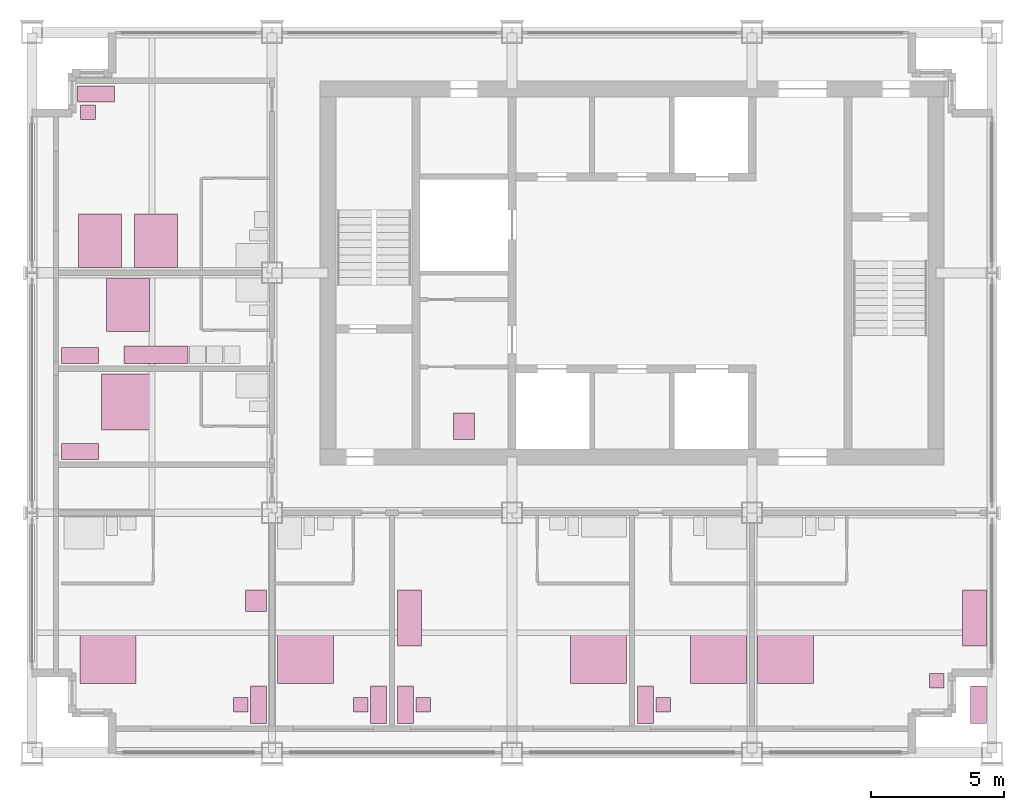
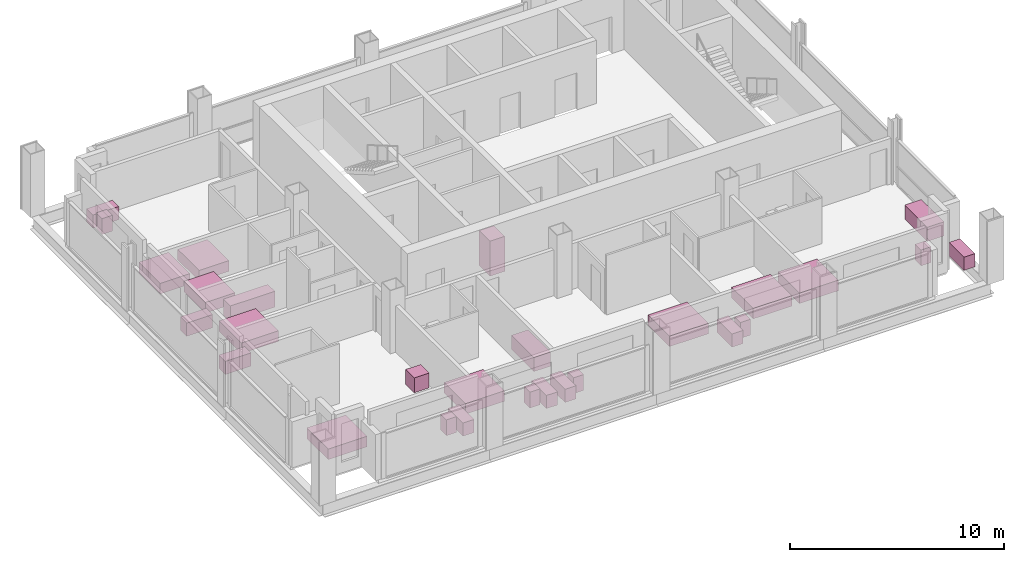
# One storey, part 12 of 12: 28 furniture elements.
"""IFC4 building model written with IfcOpenShell, lengths in metres."""

from ifc_helpers import new_model, si_unit, direction, frame, origin, origin_2d, place, context, subcontext, project, spatial, rectangle, extrude, element, save


model = new_model("IFC4")

# Units and contexts
model_context = context("Model", 3, precision=1e-05, world=origin(), true_north=direction((0.0, 1.0)))
body_context = subcontext(model_context, "Body", "Model", "MODEL_VIEW")
ifc_project = project(units=[si_unit("LENGTHUNIT", "METRE"), si_unit("AREAUNIT", "SQUARE_METRE"), si_unit("VOLUMEUNIT", "CUBIC_METRE"), si_unit("PLANEANGLEUNIT", "RADIAN"), si_unit("MASSUNIT", "GRAM", prefix="KILO")], contexts=[model_context])

# Site, building, storey
site_placement = place(None, origin())
site = spatial("IfcSite", under=ifc_project, at=site_placement, CompositionType="ELEMENT")
building_placement = place(site_placement, origin())
building = spatial("IfcBuilding", under=site, at=building_placement, Name="Loomwork Tower", CompositionType="ELEMENT")
storey_placement = place(building_placement, frame((0.0, 0.0, 237.39990234375)))
storey = spatial("IfcBuildingStorey", under=building, at=storey_placement, Name="L65", CompositionType="ELEMENT", Elevation=237.39990234375)

# Furniture
furniture_1_placement = place(storey_placement, frame((2.85009765625, 3.60009765625, 0.0), z_axis=(0.0, 0.0, 1.0), x_axis=(1.0, 0.0, 0.0)))
element("IfcFurniture", 1, at=furniture_1_placement, inside=storey, Name="King bed L65", PredefinedType="BED", context=body_context, shape_type="SweptSolid", body=[
    extrude(rectangle(XDim=2.10009765625, YDim=2.0, at=origin_2d()), origin(), (0.0, 0.0, 1.0), 0.60009765625),
])
furniture_2_placement = place(storey_placement, frame((8.5, 1.800048828125, 0.0), z_axis=(0.0, 0.0, 1.0), x_axis=(1.0, 0.0, 0.0)))
element("IfcFurniture", 2, at=furniture_2_placement, inside=storey, Name="Writing desk L65", PredefinedType="DESK", context=body_context, shape_type="SweptSolid", body=[
    extrude(rectangle(XDim=0.60009765625, YDim=1.39990234375, at=origin_2d()), origin(), (0.0, 0.0, 1.0), 0.75),
])
furniture_3_placement = place(storey_placement, frame((7.824951171875, 1.800048828125, 0.000244140625), z_axis=(0.0, 0.0, 1.0), x_axis=(1.0, 0.0, 0.0)))
element("IfcFurniture", 3, at=furniture_3_placement, inside=storey, Name="Desk chair L65", PredefinedType="CHAIR", context=body_context, shape_type="SweptSolid", body=[
    extrude(rectangle(XDim=0.550048828125, YDim=0.550048828125, at=origin_2d()), origin(), (0.0, 0.0, 1.0), 0.89990234375),
])
furniture_4_placement = place(storey_placement, frame((8.39990234375, 5.699951171875, 0.0), z_axis=(0.0, 0.0, 1.0), x_axis=(1.0, 0.0, 0.0)))
element("IfcFurniture", 4, at=furniture_4_placement, inside=storey, Name="Lounge armchair L65", PredefinedType="CHAIR", context=body_context, shape_type="SweptSolid", body=[
    extrude(rectangle(XDim=0.800048828125, YDim=0.800048828125, at=origin_2d()), origin(), (0.0, 0.0, 1.0), 0.85009765625),
])
furniture_5_placement = place(storey_placement, frame((10.25, 3.60009765625, 0.0), z_axis=(0.0, 0.0, 1.0), x_axis=(1.0, 0.0, 0.0)))
element("IfcFurniture", 5, at=furniture_5_placement, inside=storey, Name="King bed L65", PredefinedType="BED", context=body_context, shape_type="SweptSolid", body=[
    extrude(rectangle(XDim=2.10009765625, YDim=2.0, at=origin_2d()), origin(), (0.0, 0.0, 1.0), 0.60009765625),
])
furniture_6_placement = place(storey_placement, frame((13.0, 1.800048828125, 0.0), z_axis=(0.0, 0.0, 1.0), x_axis=(1.0, 0.0, 0.0)))
element("IfcFurniture", 6, at=furniture_6_placement, inside=storey, Name="Writing desk L65", PredefinedType="DESK", context=body_context, shape_type="SweptSolid", body=[
    extrude(rectangle(XDim=0.60009765625, YDim=1.39990234375, at=origin_2d()), origin(), (0.0, 0.0, 1.0), 0.75),
])
furniture_7_placement = place(storey_placement, frame((12.324951171875, 1.800048828125, 0.000244140625), z_axis=(0.0, 0.0, 1.0), x_axis=(1.0, 0.0, 0.0)))
element("IfcFurniture", 7, at=furniture_7_placement, inside=storey, Name="Desk chair L65", PredefinedType="CHAIR", context=body_context, shape_type="SweptSolid", body=[
    extrude(rectangle(XDim=0.550048828125, YDim=0.550048828125, at=origin_2d()), origin(), (0.0, 0.0, 1.0), 0.89990234375),
])
furniture_8_placement = place(storey_placement, frame((21.25, 3.60009765625, 0.0), z_axis=(0.0, 0.0, 1.0), x_axis=(1.0, 0.0, 0.0)))
element("IfcFurniture", 8, at=furniture_8_placement, inside=storey, Name="King bed L65", PredefinedType="BED", context=body_context, shape_type="SweptSolid", body=[
    extrude(rectangle(XDim=2.10009765625, YDim=2.0, at=origin_2d()), origin(), (0.0, 0.0, 1.0), 0.60009765625),
])
furniture_9_placement = place(storey_placement, frame((14.0, 1.800048828125, 0.0), z_axis=(0.0, 0.0, 1.0), x_axis=(1.0, 0.0, 0.0)))
element("IfcFurniture", 9, at=furniture_9_placement, inside=storey, Name="Writing desk L65", PredefinedType="DESK", context=body_context, shape_type="SweptSolid", body=[
    extrude(rectangle(XDim=0.60009765625, YDim=1.39990234375, at=origin_2d()), origin(), (0.0, 0.0, 1.0), 0.75),
])
furniture_10_placement = place(storey_placement, frame((14.675048828125, 1.800048828125, 0.000244140625), z_axis=(0.0, 0.0, 1.0), x_axis=(1.0, 0.0, 0.0)))
element("IfcFurniture", 10, at=furniture_10_placement, inside=storey, Name="Desk chair L65", PredefinedType="CHAIR", context=body_context, shape_type="SweptSolid", body=[
    extrude(rectangle(XDim=0.550048828125, YDim=0.550048828125, at=origin_2d()), origin(), (0.0, 0.0, 1.0), 0.89990234375),
])
furniture_11_placement = place(storey_placement, frame((14.14990234375, 5.050048828125, 0.0), z_axis=(0.0, 0.0, 1.0), x_axis=(1.0, 0.0, 0.0)))
element("IfcFurniture", 11, at=furniture_11_placement, inside=storey, Name="Sofa L65", PredefinedType="SOFA", context=body_context, shape_type="SweptSolid", body=[
    extrude(rectangle(XDim=0.89990234375, YDim=2.10009765625, at=origin_2d()), origin(), (0.0, 0.0, 1.0), 0.800048828125),
])
furniture_12_placement = place(storey_placement, frame((25.75, 3.60009765625, 0.0), z_axis=(0.0, 0.0, 1.0), x_axis=(1.0, 0.0, 0.0)))
element("IfcFurniture", 12, at=furniture_12_placement, inside=storey, Name="King bed L65", PredefinedType="BED", context=body_context, shape_type="SweptSolid", body=[
    extrude(rectangle(XDim=2.10009765625, YDim=2.0, at=origin_2d()), origin(), (0.0, 0.0, 1.0), 0.60009765625),
])
furniture_13_placement = place(storey_placement, frame((23.0, 1.800048828125, 0.0), z_axis=(0.0, 0.0, 1.0), x_axis=(1.0, 0.0, 0.0)))
element("IfcFurniture", 13, at=furniture_13_placement, inside=storey, Name="Writing desk L65", PredefinedType="DESK", context=body_context, shape_type="SweptSolid", body=[
    extrude(rectangle(XDim=0.60009765625, YDim=1.39990234375, at=origin_2d()), origin(), (0.0, 0.0, 1.0), 0.75),
])
furniture_14_placement = place(storey_placement, frame((23.675048828125, 1.800048828125, 0.000244140625), z_axis=(0.0, 0.0, 1.0), x_axis=(1.0, 0.0, 0.0)))
element("IfcFurniture", 14, at=furniture_14_placement, inside=storey, Name="Desk chair L65", PredefinedType="CHAIR", context=body_context, shape_type="SweptSolid", body=[
    extrude(rectangle(XDim=0.550048828125, YDim=0.550048828125, at=origin_2d()), origin(), (0.0, 0.0, 1.0), 0.89990234375),
])
furniture_15_placement = place(storey_placement, frame((28.25, 3.60009765625, 0.0), z_axis=(0.0, 0.0, 1.0), x_axis=(1.0, 0.0, 0.0)))
element("IfcFurniture", 15, at=furniture_15_placement, inside=storey, Name="King bed L65", PredefinedType="BED", context=body_context, shape_type="SweptSolid", body=[
    extrude(rectangle(XDim=2.10009765625, YDim=2.0, at=origin_2d()), origin(), (0.0, 0.0, 1.0), 0.60009765625),
])
furniture_16_placement = place(storey_placement, frame((35.5, 1.800048828125, 0.0), z_axis=(0.0, 0.0, 1.0), x_axis=(1.0, 0.0, 0.0)))
element("IfcFurniture", 16, at=furniture_16_placement, inside=storey, Name="Writing desk L65", PredefinedType="DESK", context=body_context, shape_type="SweptSolid", body=[
    extrude(rectangle(XDim=0.60009765625, YDim=1.39990234375, at=origin_2d()), origin(), (0.0, 0.0, 1.0), 0.75),
])
furniture_17_placement = place(storey_placement, frame((33.925048828125, 2.699951171875, 0.000244140625), z_axis=(0.0, 0.0, 1.0), x_axis=(1.0, 0.0, 0.0)))
element("IfcFurniture", 17, at=furniture_17_placement, inside=storey, Name="Desk chair L65", PredefinedType="CHAIR", context=body_context, shape_type="SweptSolid", body=[
    extrude(rectangle(XDim=0.550048828125, YDim=0.550048828125, at=origin_2d()), origin(), (0.0, 0.0, 1.0), 0.89990234375),
])
furniture_18_placement = place(storey_placement, frame((35.35009765625, 5.050048828125, 0.0), z_axis=(0.0, 0.0, 1.0), x_axis=(1.0, 0.0, 0.0)))
element("IfcFurniture", 18, at=furniture_18_placement, inside=storey, Name="Sofa L65", PredefinedType="SOFA", context=body_context, shape_type="SweptSolid", body=[
    extrude(rectangle(XDim=0.89990234375, YDim=2.10009765625, at=origin_2d()), origin(), (0.0, 0.0, 1.0), 0.800048828125),
])
furniture_19_placement = place(storey_placement, frame((3.60009765625, 13.14990234375, 0.0), z_axis=(0.0, 0.0, 1.0), x_axis=(1.0, 0.0, 0.0)))
element("IfcFurniture", 19, at=furniture_19_placement, inside=storey, Name="King bed L65", PredefinedType="BED", context=body_context, shape_type="SweptSolid", body=[
    extrude(rectangle(XDim=2.0, YDim=2.10009765625, at=origin_2d()), origin(), (0.0, 0.0, 1.0), 0.60009765625),
])
furniture_20_placement = place(storey_placement, frame((1.800048828125, 11.300048828125, 0.0), z_axis=(0.0, 0.0, 1.0), x_axis=(1.0, 0.0, 0.0)))
element("IfcFurniture", 20, at=furniture_20_placement, inside=storey, Name="Writing desk L65", PredefinedType="DESK", context=body_context, shape_type="SweptSolid", body=[
    extrude(rectangle(XDim=1.39990234375, YDim=0.60009765625, at=origin_2d()), origin(), (0.0, 0.0, 1.0), 0.75),
])
furniture_21_placement = place(storey_placement, frame((3.60009765625, 16.800048828125, 0.0), z_axis=(0.0, 0.0, 1.0), x_axis=(1.0, 0.0, 0.0)))
element("IfcFurniture", 21, at=furniture_21_placement, inside=storey, Name="Queen bed L65", PredefinedType="BED", context=body_context, shape_type="SweptSolid", body=[
    extrude(rectangle(XDim=1.60009765625, YDim=2.0, at=origin_2d()), origin(), (0.0, 0.0, 1.0), 0.60009765625),
])
furniture_22_placement = place(storey_placement, frame((1.800048828125, 14.89990234375, 0.0), z_axis=(0.0, 0.0, 1.0), x_axis=(1.0, 0.0, 0.0)))
element("IfcFurniture", 22, at=furniture_22_placement, inside=storey, Name="Writing desk L65", PredefinedType="DESK", context=body_context, shape_type="SweptSolid", body=[
    extrude(rectangle(XDim=1.39990234375, YDim=0.60009765625, at=origin_2d()), origin(), (0.0, 0.0, 1.0), 0.75),
])
furniture_23_placement = place(storey_placement, frame((4.64990234375, 14.925048828125, 0.000244140625), z_axis=(0.0, 0.0, 1.0), x_axis=(1.0, 0.0, 0.0)))
element("IfcFurniture", 23, at=furniture_23_placement, inside=storey, Name="Kitchenette counter L65", ObjectType="KITCHENETTE", PredefinedType="USERDEFINED", context=body_context, shape_type="SweptSolid", body=[
    extrude(rectangle(XDim=2.39990234375, YDim=0.64990234375, at=origin_2d()), origin(), (0.0, 0.0, 1.0), 0.89990234375),
])
for number, where, z_axis, x_axis, name in (
    (24, (4.64990234375, 19.199951171875, 0.0), (0.0, 0.0, 1.0), (1.0, 0.0, 0.0), "Queen bed L65"),
    (25, (2.550048828125, 19.199951171875, 0.0), (0.0, 0.0, 1.0), (1.0, 0.0, 0.0), "Queen bed L65"),
):
    element("IfcFurniture", number, at=place(storey_placement, frame(where, z_axis=z_axis, x_axis=x_axis)), inside=storey, Name=name, PredefinedType="BED", context=body_context, shape_type="SweptSolid", body=[
        extrude(rectangle(XDim=1.60009765625, YDim=2.0, at=origin_2d()), origin(), (0.0, 0.0, 1.0), 0.60009765625),
    ])
furniture_24_placement = place(storey_placement, frame((2.39990234375, 24.699951171875, 0.0), z_axis=(0.0, 0.0, 1.0), x_axis=(1.0, 0.0, 0.0)))
element("IfcFurniture", 26, at=furniture_24_placement, inside=storey, Name="Writing desk L65", PredefinedType="DESK", context=body_context, shape_type="SweptSolid", body=[
    extrude(rectangle(XDim=1.39990234375, YDim=0.60009765625, at=origin_2d()), origin(), (0.0, 0.0, 1.0), 0.75),
])
furniture_25_placement = place(storey_placement, frame((2.10009765625, 24.02490234375, 0.000244140625), z_axis=(0.0, 0.0, 1.0), x_axis=(1.0, 0.0, 0.0)))
element("IfcFurniture", 27, at=furniture_25_placement, inside=storey, Name="Desk chair L65", PredefinedType="CHAIR", context=body_context, shape_type="SweptSolid", body=[
    extrude(rectangle(XDim=0.550048828125, YDim=0.550048828125, at=origin_2d()), origin(), (0.0, 0.0, 1.0), 0.89990234375),
])
furniture_26_placement = place(storey_placement, frame((16.199951171875, 12.25, 0.0), z_axis=(0.0, 0.0, 1.0), x_axis=(1.0, 0.0, 0.0)))
element("IfcFurniture", 28, at=furniture_26_placement, inside=storey, Name="Data cabinet L65", ObjectType="DATA CABINET", PredefinedType="USERDEFINED", context=body_context, shape_type="SweptSolid", body=[
    extrude(rectangle(XDim=0.800048828125, YDim=1.0, at=origin_2d()), origin(), (0.0, 0.0, 1.0), 2.0),
])

save(model, "model.ifc")
